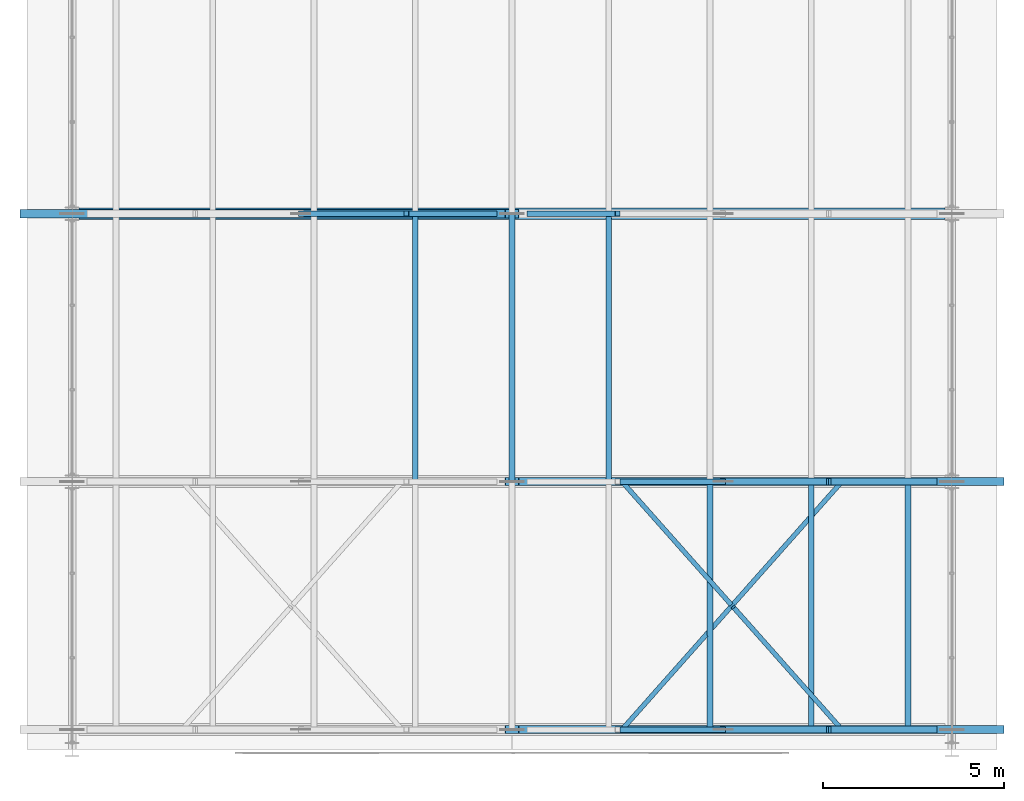
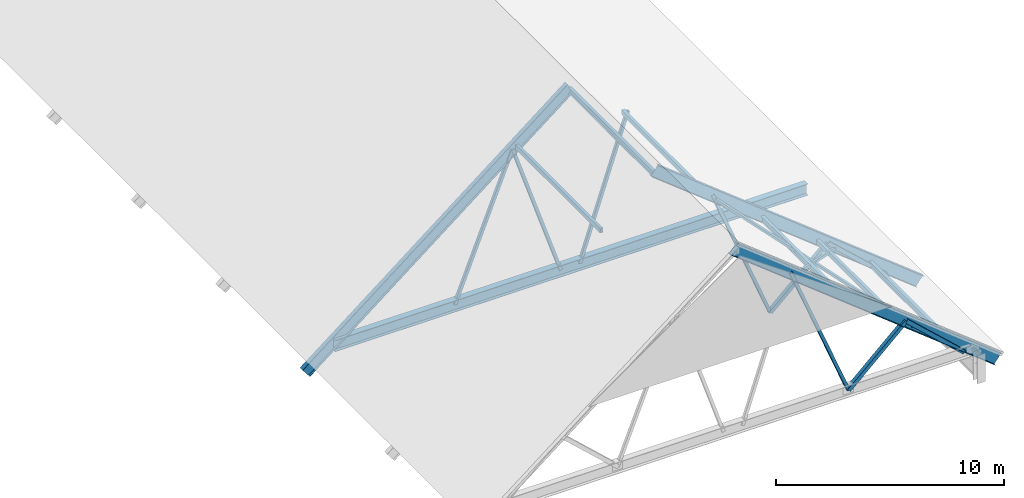
# One storey, part 8 of 44: 19 members, 3 beams.
"""IFC4 building model written with IfcOpenShell, lengths in metres."""

import ifcopenshell
import ifcopenshell.guid

model = None  # the IFC model being written
_history = None  # IfcOwnerHistory: only IFC2X3 demands one
_inside = {}  # id of a spatial element -> (the spatial element, [elements in it])
_under = {}  # id of a project, library or spatial element -> (it, [spatial elements below it])
_declared = {}  # id of a project -> (the project, [libraries it declares])
_typed = {}  # id of a type object -> (the type object, [elements of that type])
_made_of = {}  # id of a material, layer set ... -> (it, [elements and type objects made of it])


def new_model(schema):
    """Start an empty IFC model of exactly this schema.

    Asked for "IFC4X3", IfcOpenShell would pick the latest addendum, in which some entities
    have other attributes; the version numbers below select the first issue.
    IFC2X3 requires an IfcOwnerHistory on every rooted entity: one is made here for all.
    """
    global model, _history
    if schema == "IFC4X3":
        model = ifcopenshell.file(schema_version=(4, 3, 0, 0))
    else:
        model = ifcopenshell.file(schema=schema)
    _inside.clear()
    _under.clear()
    _declared.clear()
    _typed.clear()
    _made_of.clear()
    _history = None
    if model.schema == "IFC2X3":
        org = make("IfcOrganization", Name="unknown")
        user = make(
            "IfcPersonAndOrganization",
            ThePerson=make("IfcPerson", FamilyName="unknown"),
            TheOrganization=org,
        )
        app = make(
            "IfcApplication",
            ApplicationDeveloper=org,
            Version="unknown",
            ApplicationFullName="unknown",
            ApplicationIdentifier="unknown",
        )
        _history = make(
            "IfcOwnerHistory",
            OwningUser=user,
            OwningApplication=app,
            ChangeAction="ADDED",
            CreationDate=0,
        )
    return model


def make(cls, **values):
    """One entity of the class cls with the attributes given. An attribute that is None is left unset."""
    return model.create_entity(
        cls, **{name: value for name, value in values.items() if value is not None}
    )


def rooted(cls, **values):
    """An entity with a GlobalId (a new one), such as an element, a storey or a relation."""
    return make(cls, GlobalId=ifcopenshell.guid.new(), OwnerHistory=_history, **values)


def si_unit(unit_type, name, prefix=None):
    """IfcSIUnit, for example si_unit("LENGTHUNIT", "METRE", prefix="MILLI")."""
    return make("IfcSIUnit", UnitType=unit_type, Prefix=prefix, Name=name)


def assignment(units):
    """IfcUnitAssignment: the units of a project."""
    return None if units is None else make("IfcUnitAssignment", Units=units)


def point(xyz):
    """IfcCartesianPoint."""
    return None if xyz is None else make("IfcCartesianPoint", Coordinates=xyz)


def direction(xyz):
    """IfcDirection."""
    return None if xyz is None else make("IfcDirection", DirectionRatios=xyz)


def frame(location, z_axis=None, x_axis=None):
    """IfcAxis2Placement3D, a coordinate frame: its origin and axes. An axis left out is left unset."""
    return make(
        "IfcAxis2Placement3D",
        Location=point(location),
        Axis=direction(z_axis),
        RefDirection=direction(x_axis),
    )


def frame_2d(location, x_axis=None):
    """IfcAxis2Placement2D, a coordinate frame in the plane: its origin and x axis."""
    return make(
        "IfcAxis2Placement2D", Location=point(location), RefDirection=direction(x_axis)
    )


def origin():
    """The frame at (0, 0, 0) with its axes left unset."""
    return frame((0.0, 0.0, 0.0))


def origin_2d():
    """The frame at (0, 0) in the plane with its x axis left unset."""
    return frame_2d((0.0, 0.0))


def place(relative_to, where):
    """IfcLocalPlacement: puts the frame where relative to a parent placement (None: the world)."""
    return make(
        "IfcLocalPlacement", PlacementRelTo=relative_to, RelativePlacement=where
    )


def context(
    kind, dimensions, precision=None, world=None, true_north=None, identifier=None
):
    """IfcGeometricRepresentationContext, for example the 3D "Model" context."""
    return make(
        "IfcGeometricRepresentationContext",
        ContextIdentifier=identifier,
        ContextType=kind,
        CoordinateSpaceDimension=dimensions,
        Precision=precision,
        WorldCoordinateSystem=world,
        TrueNorth=true_north,
    )


def subcontext(parent, identifier, kind, view, scale=None):
    """IfcGeometricRepresentationSubContext, for example "Body" below "Model"."""
    return make(
        "IfcGeometricRepresentationSubContext",
        ContextIdentifier=identifier,
        ContextType=kind,
        ParentContext=parent,
        TargetScale=scale,
        TargetView=view,
    )


def project(units=None, contexts=None):
    """IfcProject with its units and contexts."""
    return rooted(
        "IfcProject",
        Name="project",
        RepresentationContexts=contexts,
        UnitsInContext=assignment(units),
    )


def spatial(cls, under=None, at=None, **own):
    """A site, building, storey or space (cls), placed at a placement, below another one or the project."""
    s = rooted(cls, ObjectPlacement=at, **own)
    if under is not None:
        _under.setdefault(under.id(), (under, []))[1].append(s)
    return s


def profile(cls, at=None, kind="AREA", **sizes):
    """A parametric profile (cls). Its sizes go by their IFC names, for example OverallWidth=200.0."""
    return make(cls, ProfileType=kind, Position=at, **sizes)


def hollow_rectangle(**sizes):
    """IfcRectangleHollowProfileDef."""
    return profile("IfcRectangleHollowProfileDef", **sizes)


def i_section(**sizes):
    """IfcIShapeProfileDef."""
    return profile("IfcIShapeProfileDef", **sizes)


def extrude(swept, where, along, depth):
    """IfcExtrudedAreaSolid: the profile swept, set in the frame where, extruded along a direction by depth."""
    return make(
        "IfcExtrudedAreaSolid",
        SweptArea=swept,
        Position=where,
        ExtrudedDirection=direction(along),
        Depth=depth,
    )


def shape(context_of_items, identifier, shape_type, items):
    """IfcShapeRepresentation: the items that make up one representation, for example the "Body"."""
    return make(
        "IfcShapeRepresentation",
        ContextOfItems=context_of_items,
        RepresentationIdentifier=identifier,
        RepresentationType=shape_type,
        Items=items,
    )


def material(Name=None, Category=None):
    """IfcMaterial."""
    return make("IfcMaterial", Name=Name, Category=Category)


def material_profile(
    of_material, cross_section, Name=None, Category=None, Priority=None
):
    """IfcMaterialProfile: a cross section and its material."""
    return make(
        "IfcMaterialProfile",
        Name=Name,
        Material=of_material,
        Profile=cross_section,
        Priority=Priority,
        Category=Category,
    )


def profile_set(profiles, Name=None, composite=None):
    """IfcMaterialProfileSet."""
    return make(
        "IfcMaterialProfileSet",
        Name=Name,
        MaterialProfiles=profiles,
        CompositeProfile=composite,
    )


def made_of(thing, what):
    """Note that an element or type object is made of a material, layer set ...; save() writes the relation."""
    if what is not None:
        _made_of.setdefault(what.id(), (what, []))[1].append(thing)
    return thing


def type_object(cls, material=None, **own):
    """A type object (cls), such as IfcWallType, which elements share."""
    return made_of(rooted(cls, **own), material)


def element(
    cls,
    number,
    at=None,
    inside=None,
    cuts=None,
    type_object=None,
    material=None,
    context=None,
    identifier="Body",
    shape_type=None,
    held_by="IfcProductDefinitionShape",
    body=None,
    shapes=None,
    **own,
):
    """One element of the class cls, such as IfcWall. Its Tag is "e" and its number.

    at: its placement. inside: the storey or other place that contains it. cuts: it is an
    opening in that element (IfcRelVoidsElement). A single representation is given by context,
    identifier, shape_type and body (its items); several are given by shapes. held_by: the class
    of the entity that holds the representations. save() writes the other relations.
    """
    e = rooted(cls, Tag="e%d" % number, ObjectPlacement=at, **own)
    if body is not None:
        shapes = [shape(context, identifier, shape_type, body)]
    if shapes is not None:
        e.Representation = make(held_by, Representations=shapes)
    if inside is not None:
        _inside.setdefault(inside.id(), (inside, []))[1].append(e)
    if cuts is not None:
        rooted(
            "IfcRelVoidsElement", RelatingBuildingElement=cuts, RelatedOpeningElement=e
        )
    if type_object is not None:
        _typed.setdefault(type_object.id(), (type_object, []))[1].append(e)
    return made_of(e, material)


def aggregate(whole, parts):
    """IfcRelAggregates: a whole, such as a stair, and the parts it consists of."""
    return rooted("IfcRelAggregates", RelatingObject=whole, RelatedObjects=parts)


def save(model, path):
    """Write the relations noted so far, then the file.

    IfcRelAggregates (storeys below a building ...), IfcRelContainedInSpatialStructure (elements
    in a storey), IfcRelDefinesByType, IfcRelAssociatesMaterial and IfcRelDeclares: one each for
    every whole, place, type object, material and project.
    """
    for whole, parts in _under.values():
        aggregate(whole, parts)
    for where, things in _inside.values():
        rooted(
            "IfcRelContainedInSpatialStructure",
            RelatedElements=things,
            RelatingStructure=where,
        )
    for kind, things in _typed.values():
        rooted("IfcRelDefinesByType", RelatedObjects=things, RelatingType=kind)
    for what, things in _made_of.values():
        rooted("IfcRelAssociatesMaterial", RelatedObjects=things, RelatingMaterial=what)
    for by, libraries in _declared.values():
        rooted("IfcRelDeclares", RelatingContext=by, RelatedDefinitions=libraries)
    model.write(path)


model = new_model("IFC4")

# Units and contexts
model_context = context("Model", 3, precision=1e-05, world=origin(), true_north=direction((0.0, 1.0)))
body_context = subcontext(model_context, "Body", "Model", "MODEL_VIEW")
ifc_project = project(units=[si_unit("LENGTHUNIT", "METRE"), si_unit("AREAUNIT", "SQUARE_METRE"), si_unit("VOLUMEUNIT", "CUBIC_METRE"), si_unit("PLANEANGLEUNIT", "RADIAN"), si_unit("MASSUNIT", "GRAM", prefix="KILO")], contexts=[model_context])

# Site, building, storey
site_placement = place(None, origin())
site = spatial("IfcSite", under=ifc_project, at=site_placement, CompositionType="ELEMENT")
building_placement = place(site_placement, origin())
building = spatial("IfcBuilding", under=site, at=building_placement, Name="Cimatlan Art Gallery", CompositionType="ELEMENT")
storey_placement = place(building_placement, frame((0.0, 0.0, 26.39990234375)))
storey = spatial("IfcBuildingStorey", under=building, at=storey_placement, Name="Roof", CompositionType="ELEMENT", Elevation=26.39990234375)

# Beams
ifc_material_1 = material(Name="Steel ASTM A992 Grade 50", Category="steel")
ifc_material_profile_1 = material_profile(ifc_material_1, i_section(OverallWidth=0.22802734375, OverallDepth=0.60791015625, WebThickness=0.01123046875, FlangeThickness=0.017333984375, at=origin_2d()), Name="W24X76")
ifc_profile_set_1 = profile_set([ifc_material_profile_1], Name="Steel ASTM A992 Grade 50")
beam_type = type_object("IfcBeamType", Name="BM-TRS-RAF", PredefinedType="BEAM", material=ifc_profile_set_1)
for number, where, z_axis, x_axis, name in (
    (1, (87.050048828125, 24.449951171875, 11.0), (0.784632771217, 0.0, -0.619960816772), (0.0, 1.0, 0.0), "TRS-01-RAF-E"),
    (2, (87.050048828125, 31.300048828125, 11.0), (0.784632771217, 0.0, -0.619960816772), (0.0, 1.0, 0.0), "TRS-02-RAF-E"),
):
    element("IfcBeam", number, at=place(storey_placement, frame(where, z_axis=z_axis, x_axis=x_axis)), inside=storey, type_object=beam_type, Name=name, PredefinedType="BEAM", context=body_context, shape_type="SweptSolid", body=[
        extrude(i_section(OverallWidth=0.22802734375, OverallDepth=0.60791015625, WebThickness=0.01123046875, FlangeThickness=0.017333984375, at=origin_2d()), origin(), (0.0, 0.0, 1.0), 17.077880859375),
    ])
beam_placement = place(storey_placement, frame((73.64990234375, 38.699951171875, 0.412353515625), z_axis=(0.78463826569, 0.0, 0.619953862812), x_axis=(0.0, 1.0, 0.0)))
element("IfcBeam", 3, at=beam_placement, inside=storey, type_object=beam_type, Name="TRS-03-RAF-W", PredefinedType="BEAM", context=body_context, shape_type="SweptSolid", body=[
    extrude(i_section(OverallWidth=0.22802734375, OverallDepth=0.60791015625, WebThickness=0.01123046875, FlangeThickness=0.017333984375, at=origin_2d()), origin(), (0.0, 0.0, 1.0), 17.078125),
])

# Members
ifc_material_2 = material(Name="Steel ASTM A500 Grade C", Category="steel")
ifc_material_profile_2 = material_profile(ifc_material_2, hollow_rectangle(XDim=0.14990234375, YDim=0.25, WallThickness=0.010009765625, at=origin_2d()), Name="HSS250X150X10")
ifc_profile_set_2 = profile_set([ifc_material_profile_2], Name="Steel ASTM A500 Grade C")
member_type_1 = type_object("IfcMemberType", Name="MBR-PUR-C250", PredefinedType="PURLIN", material=ifc_profile_set_2)
member_1_placement = place(storey_placement, frame((95.31201171875, 24.449951171875, 4.31201171875), z_axis=(0.0, 1.0, 0.0), x_axis=(-1.0, 0.0, 0.0)))
element("IfcMember", 4, at=member_1_placement, inside=storey, type_object=member_type_1, Name="PUR-V1-B1-E3", PredefinedType="PURLIN", context=body_context, shape_type="SweptSolid", body=[
    extrude(hollow_rectangle(XDim=0.14990234375, YDim=0.25, WallThickness=0.010009765625, at=origin_2d()), origin(), (0.0, 0.0, 1.0), 6.85009765625),
])
for number, where, z_axis, x_axis, name in (
    (5, (84.376953125, 31.300048828125, 8.72802734375), (0.0, 1.0, 0.0), (-1.0, 0.0, 0.0), "PUR-V1-B2-W1"),
    (6, (89.722900390625, 31.300048828125, 8.72802734375), (0.0, 1.0, 0.0), (-1.0, 0.0, 0.0), "PUR-V1-B2-E1"),
):
    element("IfcMember", number, at=place(storey_placement, frame(where, z_axis=z_axis, x_axis=x_axis)), inside=storey, type_object=member_type_1, Name=name, PredefinedType="PURLIN", context=body_context, shape_type="SweptSolid", body=[
        extrude(hollow_rectangle(XDim=0.14990234375, YDim=0.25, WallThickness=0.010009765625, at=origin_2d()), origin(), (0.0, 0.0, 1.0), 7.39990234375),
    ])
ifc_material_profile_3 = material_profile(ifc_material_1, i_section(OverallWidth=0.1650390625, OverallDepth=0.31005859375, WebThickness=0.005859375, FlangeThickness=0.009765625, at=origin_2d()), Name="W12X26")
ifc_profile_set_3 = profile_set([ifc_material_profile_3], Name="Steel ASTM A992 Grade 50")
member_type_2 = type_object("IfcMemberType", Name="MBR-PUR-W12", PredefinedType="PURLIN", material=ifc_profile_set_3)
for number, where, z_axis, x_axis, name in (
    (7, (92.517578125, 24.449951171875, 6.52001953125), (0.0, 1.0, 0.0), (-1.0, 0.0, 0.0), "PUR-V1-B1-E2"),
    (8, (97.985107421875, 24.449951171875, 2.2001953125), (0.0, 1.0, 0.0), (-1.0, 0.0, 0.0), "PUR-V1-B1-E4"),
):
    element("IfcMember", number, at=place(storey_placement, frame(where, z_axis=z_axis, x_axis=x_axis)), inside=storey, type_object=member_type_2, Name=name, PredefinedType="PURLIN", context=body_context, shape_type="SweptSolid", body=[
        extrude(i_section(OverallWidth=0.1650390625, OverallDepth=0.31005859375, WebThickness=0.005859375, FlangeThickness=0.009765625, at=origin_2d()), origin(), (0.0, 0.0, 1.0), 6.85009765625),
    ])
member_2_placement = place(storey_placement, frame((87.050048828125, 31.300048828125, 10.820068359375), z_axis=(0.0, 1.0, 0.0), x_axis=(-1.0, 0.0, 0.0)))
element("IfcMember", 9, at=member_2_placement, inside=storey, type_object=member_type_2, Name="PUR-V1-B2-RDG", PredefinedType="PURLIN", context=body_context, shape_type="SweptSolid", body=[
    extrude(i_section(OverallWidth=0.1650390625, OverallDepth=0.31005859375, WebThickness=0.005859375, FlangeThickness=0.009765625, at=origin_2d()), origin(), (0.0, 0.0, 1.0), 7.39990234375),
])
ifc_material_profile_4 = material_profile(ifc_material_2, hollow_rectangle(XDim=0.1298828125, YDim=0.1298828125, WallThickness=0.008056640625, at=origin_2d()), Name="HSS130X130X8")
ifc_profile_set_4 = profile_set([ifc_material_profile_4], Name="Steel ASTM A500 Grade C")
member_type_3 = type_object("IfcMemberType", Name="MBR-TRS-BRACE", PredefinedType="BRACE", material=ifc_profile_set_4)
member_3_placement = place(storey_placement, frame((90.08740234375, 24.449951171875, 8.440185546875), z_axis=(0.587662065321, 0.662619443369, -0.464315378005), x_axis=(-0.748156191013, 0.663522655113, 0.0)))
element("IfcMember", 10, at=member_3_placement, inside=storey, type_object=member_type_3, Name="BRC-V1-B1-E1", PredefinedType="BRACE", context=body_context, shape_type="SweptSolid", body=[
    extrude(hollow_rectangle(XDim=0.1298828125, YDim=0.1298828125, WallThickness=0.008056640625, at=origin_2d()), origin(), (0.0, 0.0, 1.0), 10.337890625),
])
member_4_placement = place(storey_placement, frame((96.16259765625, 24.449951171875, 3.64013671875), z_axis=(-0.587667140887, 0.662620291609, 0.464307743496), x_axis=(-0.748153767817, -0.663525387382, 0.0)))
element("IfcMember", 11, at=member_4_placement, inside=storey, type_object=member_type_3, Name="BRC-V1-B1-E2A", PredefinedType="BRACE", context=body_context, shape_type="SweptSolid", body=[
    extrude(hollow_rectangle(XDim=0.1298828125, YDim=0.1298828125, WallThickness=0.008056640625, at=origin_2d()), origin(), (0.0, 0.0, 1.0), 5.10400390625),
])
member_5_placement = place(storey_placement, frame((93.0869140625, 27.91796875, 6.070068359375), z_axis=(-0.587654089215, 0.662605575281, 0.464345262746), x_axis=(-0.748153767817, -0.663525387382, 0.0)))
element("IfcMember", 12, at=member_5_placement, inside=storey, type_object=member_type_3, Name="BRC-V1-B1-E2B", PredefinedType="BRACE", context=body_context, shape_type="SweptSolid", body=[
    extrude(hollow_rectangle(XDim=0.1298828125, YDim=0.1298828125, WallThickness=0.008056640625, at=origin_2d()), origin(), (0.0, 0.0, 1.0), 5.104248046875),
])
ifc_material_profile_5 = material_profile(ifc_material_2, hollow_rectangle(XDim=0.199951171875, YDim=0.199951171875, WallThickness=0.010009765625, at=origin_2d()), Name="HSS200X200X10")
ifc_profile_set_5 = profile_set([ifc_material_profile_5], Name="Steel ASTM A500 Grade C")
member_type_4 = type_object("IfcMemberType", Name="MBR-TRS-DIAG-1", PredefinedType="BRACE", material=ifc_profile_set_5)
for number, where, z_axis, x_axis, name in (
    (13, (98.714111328125, 24.449951171875, 1.400146484375), (-0.735270574228, 0.0, 0.677773695768), (0.0, -1.0, 0.0), "TRS-01-DE-1"),
    (14, (95.798095703125, 24.449951171875, 4.088134765625), (-0.735270574228, 0.0, -0.677773695768), (0.0, -1.0, 0.0), "TRS-01-DE-2"),
    (15, (98.714111328125, 31.300048828125, 1.400146484375), (-0.735270574228, 0.0, 0.677773695768), (0.0, -1.0, 0.0), "TRS-02-DE-1"),
    (16, (95.798095703125, 31.300048828125, 4.088134765625), (-0.735270574228, 0.0, -0.677773695768), (0.0, -1.0, 0.0), "TRS-02-DE-2"),
):
    element("IfcMember", number, at=place(storey_placement, frame(where, z_axis=z_axis, x_axis=x_axis)), inside=storey, type_object=member_type_4, Name=name, PredefinedType="BRACE", context=body_context, shape_type="SweptSolid", body=[
        extrude(hollow_rectangle(XDim=0.199951171875, YDim=0.199951171875, WallThickness=0.010009765625, at=origin_2d()), origin(), (0.0, 0.0, 1.0), 3.9658203125),
    ])
ifc_material_profile_6 = material_profile(ifc_material_2, hollow_rectangle(XDim=0.14990234375, YDim=0.14990234375, WallThickness=0.008056640625, at=origin_2d()), Name="HSS150X150X8")
ifc_profile_set_6 = profile_set([ifc_material_profile_6], Name="Steel ASTM A500 Grade C")
member_type_5 = type_object("IfcMemberType", Name="MBR-TRS-DIAG-2", PredefinedType="BRACE", material=ifc_profile_set_6)
for number, where, z_axis, x_axis, name in (
    (17, (92.882080078125, 24.449951171875, 1.400146484375), (-0.371133507913, 0.0, 0.928579516953), (0.0, -1.0, 0.0), "TRS-01-DE-3"),
    (18, (92.882080078125, 31.300048828125, 1.400146484375), (-0.371133507913, 0.0, 0.928579516953), (0.0, -1.0, 0.0), "TRS-02-DE-3"),
    (19, (81.218017578125, 38.699951171875, 1.400146484375), (0.371133507913, 0.0, 0.928579516953), (0.0, 1.0, 0.0), "TRS-03-DW-3"),
):
    element("IfcMember", number, at=place(storey_placement, frame(where, z_axis=z_axis, x_axis=x_axis)), inside=storey, type_object=member_type_5, Name=name, PredefinedType="BRACE", context=body_context, shape_type="SweptSolid", body=[
        extrude(hollow_rectangle(XDim=0.14990234375, YDim=0.14990234375, WallThickness=0.008056640625, at=origin_2d()), origin(), (0.0, 0.0, 1.0), 7.85693359375),
    ])
for number, where, z_axis, x_axis, name in (
    (20, (84.134033203125, 38.699951171875, 8.696044921875), (0.315989644699, 0.0, -0.948762638621), (0.0, 1.0, 0.0), "TRS-03-DW-4"),
    (21, (89.966064453125, 38.699951171875, 8.696044921875), (-0.316018222412, 0.0, -0.948753120208), (0.0, -1.0, 0.0), "TRS-03-DE-4"),
):
    element("IfcMember", number, at=place(storey_placement, frame(where, z_axis=z_axis, x_axis=x_axis)), inside=storey, type_object=member_type_5, Name=name, PredefinedType="BRACE", context=body_context, shape_type="SweptSolid", body=[
        extrude(hollow_rectangle(XDim=0.14990234375, YDim=0.14990234375, WallThickness=0.008056640625, at=origin_2d()), origin(), (0.0, 0.0, 1.0), 7.68994140625),
    ])
ifc_material_profile_7 = material_profile(ifc_material_1, i_section(OverallWidth=0.323974609375, OverallDepth=0.611083984375, WebThickness=0.0126953125, FlangeThickness=0.01904296875, at=origin_2d()), Name="W24X104")
ifc_profile_set_7 = profile_set([ifc_material_profile_7], Name="Steel ASTM A992 Grade 50")
member_type_6 = type_object("IfcMemberType", Name="MBR-TRS-TIE", PredefinedType="CHORD", material=ifc_profile_set_7)
member_6_placement = place(storey_placement, frame((75.096923828125, 38.699951171875, 1.400146484375), z_axis=(1.0, 0.0, 0.0), x_axis=(0.0, 1.0, 0.0)))
element("IfcMember", 22, at=member_6_placement, inside=storey, type_object=member_type_6, Name="TRS-03-TIE", PredefinedType="CHORD", context=body_context, shape_type="SweptSolid", body=[
    extrude(i_section(OverallWidth=0.323974609375, OverallDepth=0.611083984375, WebThickness=0.0126953125, FlangeThickness=0.01904296875, at=origin_2d()), origin(), (0.0, 0.0, 1.0), 23.906005859375),
])

save(model, "model.ifc")
